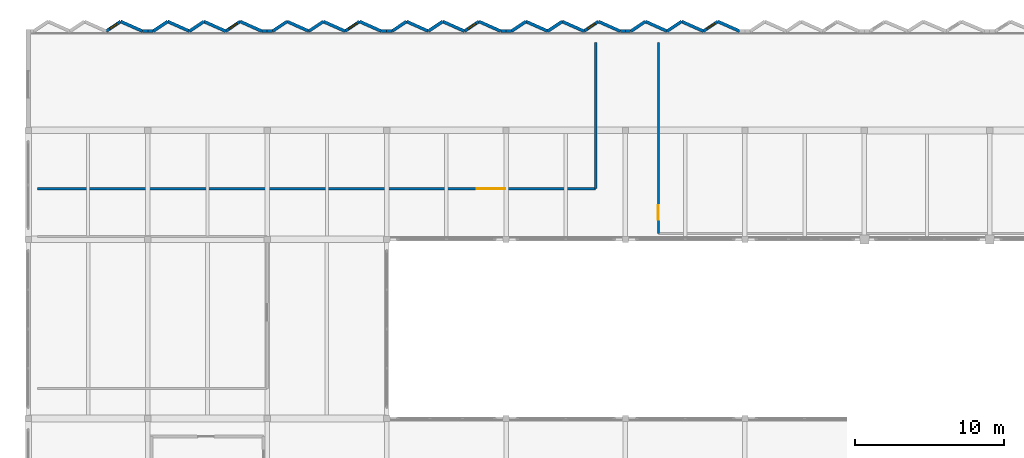
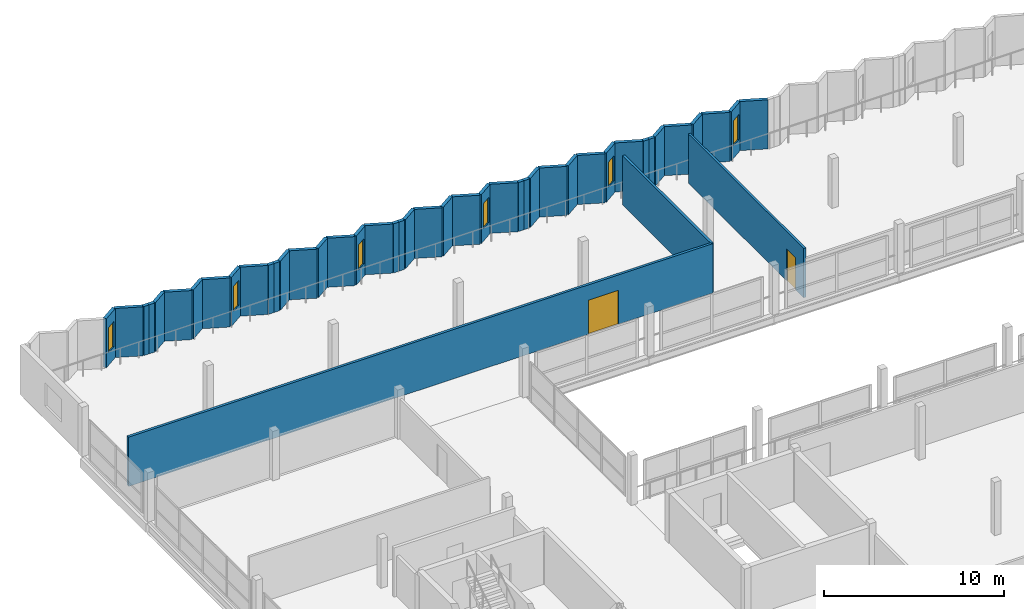
# One storey, part 38 of 51: 45 walls, 6 windows, 2 doors, 8 openings.
"""IFC4 building model written with IfcOpenShell, lengths in metres."""

from ifc_helpers import new_model, si_unit, direction, frame, frame_2d, origin, place, context, subcontext, project, spatial, rectangle, extrude, material, layer, layer_set, type_object, element, fill, save


model = new_model("IFC4")

# Units and contexts
model_context = context("Model", 3, precision=1e-05, world=origin(), true_north=direction((0.0, 1.0)))
body_context = subcontext(model_context, "Body", "Model", "MODEL_VIEW")
ifc_project = project(units=[si_unit("LENGTHUNIT", "METRE"), si_unit("AREAUNIT", "SQUARE_METRE"), si_unit("VOLUMEUNIT", "CUBIC_METRE"), si_unit("PLANEANGLEUNIT", "RADIAN"), si_unit("MASSUNIT", "GRAM", prefix="KILO")], contexts=[model_context])

# Site, building, storey
site_placement = place(None, origin())
site = spatial("IfcSite", under=ifc_project, at=site_placement, CompositionType="ELEMENT")
building_placement = place(site_placement, origin())
building = spatial("IfcBuilding", under=site, at=building_placement, Name="Vharandega Faculty of Natural Sciences", CompositionType="ELEMENT")
storey_placement = place(building_placement, frame((0.0, 0.0, 14.39990234375)))
storey = spatial("IfcBuildingStorey", under=building, at=storey_placement, Name="L03", CompositionType="ELEMENT", Elevation=14.39990234375)

# Walls
ifc_material_1 = material(Name="Precast concrete C40/50", Category="concrete")
ifc_layer_1 = layer(ifc_material_1, 0.2099609375, Name="Precast concrete C40/50")
ifc_layer_set_1 = layer_set([ifc_layer_1], Name="Precast concrete C40/50")
wall_type_1 = type_object("IfcWallType", Name="Commons Sawtooth Street Wall 210", PredefinedType="SOLIDWALL", material=ifc_layer_set_1)
for number, where, z_axis, x_axis, name in (
    (1, (7.64990234375, 110.949951171875, 0.0), (0.0, 0.0, 1.0), (1.0, 0.0, 0.0), "Exterior Wall EW-V2SHL-L03-2R"),
    (2, (8.0, 110.949951171875, 0.0), (0.0, 0.0, 1.0), (1.0, 0.0, 0.0), "Exterior Wall EW-V2SHL-L03-2L"),
    (3, (15.64990234375, 110.949951171875, 0.0), (0.0, 0.0, 1.0), (1.0, 0.0, 0.0), "Exterior Wall EW-V2SHL-L03-3R"),
    (4, (16.0, 110.949951171875, 0.0), (0.0, 0.0, 1.0), (1.0, 0.0, 0.0), "Exterior Wall EW-V2SHL-L03-3L"),
    (5, (23.64990234375, 110.949951171875, 0.0), (0.0, 0.0, 1.0), (1.0, 0.0, 0.0), "Exterior Wall EW-V2SHL-L03-4R"),
    (6, (24.0, 110.949951171875, 0.0), (0.0, 0.0, 1.0), (1.0, 0.0, 0.0), "Exterior Wall EW-V2SHL-L03-4L"),
    (7, (31.64990234375, 110.949951171875, 0.0), (0.0, 0.0, 1.0), (1.0, 0.0, 0.0), "Exterior Wall EW-V2SHL-L03-5R"),
    (8, (32.0, 110.949951171875, 0.0), (0.0, 0.0, 1.0), (1.0, 0.0, 0.0), "Exterior Wall EW-V2SHL-L03-5L"),
    (9, (39.64990234375, 110.949951171875, 0.0), (0.0, 0.0, 1.0), (1.0, 0.0, 0.0), "Exterior Wall EW-V2SHL-L03-6R"),
    (10, (40.0, 110.949951171875, 0.0), (0.0, 0.0, 1.0), (1.0, 0.0, 0.0), "Exterior Wall EW-V2SHL-L03-6L"),
):
    element("IfcWall", number, at=place(storey_placement, frame(where, z_axis=z_axis, x_axis=x_axis)), inside=storey, type_object=wall_type_1, Name=name, PredefinedType="SOLIDWALL", context=body_context, shape_type="SweptSolid", body=[
        extrude(rectangle(XDim=0.35009765625, YDim=0.2099609375, at=frame_2d((0.175048828125, 0.0))), origin(), (0.0, 0.0, 1.0), 3.320068359375),
    ])

# Wall, opening, window
wall_1_placement = place(storey_placement, frame((5.21337890625, 110.949951171875, 0.0), z_axis=(0.0, 0.0, 1.0), x_axis=(0.830858868059, 0.556483190553, 0.0)))
wall_1 = element("IfcWall", 11, at=wall_1_placement, inside=storey, type_object=wall_type_1, Name="Exterior Wall EW-V2SAW-L03-03G", PredefinedType="SOLIDWALL", context=body_context, shape_type="SweptSolid", body=[
    extrude(rectangle(XDim=1.168212890625, YDim=0.2099609375, at=frame_2d((0.583984375, 0.0))), origin(), (0.0, 0.0, 1.0), 3.320068359375),
])
opening_1_placement = place(wall_1_placement, frame((0.280029296875, 0.0, 0.85009765625)))
opening_1 = element("IfcOpeningElement", 12, at=opening_1_placement, cuts=wall_1, Name="Opening WN-07", PredefinedType="OPENING", context=body_context, shape_type="SweptSolid", body=[
    extrude(rectangle(XDim=0.64990234375, YDim=1.699951171875, at=frame_2d((0.324951171875, 0.85009765625))), frame((0.0, 0.114990234375, 0.0), z_axis=(0.0, -1.0, 0.0), x_axis=(1.0, 0.0, 0.0)), (0.0, 0.0, 1.0), 0.22998046875),
])
ifc_material_2 = material(Name="Double-glazed solar-control glass in thermally broken aluminium frame", Category="aluminium")
window_type = type_object("IfcWindowType", Name="WIN-COM-065x170", PartitioningType="SINGLE_PANEL", PredefinedType="WINDOW", material=ifc_material_2)
window_1_placement = place(opening_1_placement, origin())
window_1 = element("IfcWindow", 13, at=window_1_placement, inside=storey, type_object=window_type, Name="Window WIN-L03-0185", OverallHeight=1.699951171875, OverallWidth=0.64990234375, PartitioningType="SINGLE_PANEL", PredefinedType="WINDOW", context=body_context, shape_type="SweptSolid", body=[
    extrude(rectangle(XDim=0.64990234375, YDim=1.699951171875, at=frame_2d((0.324951171875, 0.85009765625))), frame((0.0, 0.030029296875, 0.0), z_axis=(0.0, -1.0, 0.0), x_axis=(1.0, 0.0, 0.0)), (0.0, 0.0, 1.0), 0.06005859375),
])
fill(opening_1, window_1)

# Walls
wall_2_placement = place(storey_placement, frame((6.18408203125, 111.60009765625, 0.0), z_axis=(0.0, 0.0, 1.0), x_axis=(0.913083928543, -0.407771675618, 0.0)))
element("IfcWall", 14, at=wall_2_placement, inside=storey, type_object=wall_type_1, Name="Exterior Wall EW-V2SAW-L03-03S", PredefinedType="SOLIDWALL", context=body_context, shape_type="SweptSolid", body=[
    extrude(rectangle(XDim=1.594482421875, YDim=0.2099609375, at=frame_2d((0.79736328125, 0.0))), origin(), (0.0, 0.0, 1.0), 3.320068359375),
])
wall_3_placement = place(storey_placement, frame((8.360107421875, 110.949951171875, 0.0), z_axis=(0.0, 0.0, 1.0), x_axis=(0.830858868059, 0.556483190553, 0.0)))
element("IfcWall", 15, at=wall_3_placement, inside=storey, type_object=wall_type_1, Name="Exterior Wall EW-V2SAW-L03-04G", PredefinedType="SOLIDWALL", context=body_context, shape_type="SweptSolid", body=[
    extrude(rectangle(XDim=1.168212890625, YDim=0.2099609375, at=frame_2d((0.583984375, 0.0))), origin(), (0.0, 0.0, 1.0), 3.320068359375),
])
wall_4_placement = place(storey_placement, frame((9.330810546875, 111.60009765625, 0.0), z_axis=(0.0, 0.0, 1.0), x_axis=(0.913083928543, -0.407771675618, 0.0)))
element("IfcWall", 16, at=wall_4_placement, inside=storey, type_object=wall_type_1, Name="Exterior Wall EW-V2SAW-L03-04S", PredefinedType="SOLIDWALL", context=body_context, shape_type="SweptSolid", body=[
    extrude(rectangle(XDim=1.594482421875, YDim=0.2099609375, at=frame_2d((0.79736328125, 0.0))), origin(), (0.0, 0.0, 1.0), 3.320068359375),
])
wall_5_placement = place(storey_placement, frame((10.78662109375, 110.949951171875, 0.0), z_axis=(0.0, 0.0, 1.0), x_axis=(0.830858868059, 0.556483190553, 0.0)))
element("IfcWall", 17, at=wall_5_placement, inside=storey, type_object=wall_type_1, Name="Exterior Wall EW-V2SAW-L03-05G", PredefinedType="SOLIDWALL", context=body_context, shape_type="SweptSolid", body=[
    extrude(rectangle(XDim=1.168212890625, YDim=0.2099609375, at=frame_2d((0.583984375, 0.0))), origin(), (0.0, 0.0, 1.0), 3.320068359375),
])
wall_6_placement = place(storey_placement, frame((11.75732421875, 111.60009765625, 0.0), z_axis=(0.0, 0.0, 1.0), x_axis=(0.913109384471, -0.407714669826, 0.0)))
element("IfcWall", 18, at=wall_6_placement, inside=storey, type_object=wall_type_1, Name="Exterior Wall EW-V2SAW-L03-05S", PredefinedType="SOLIDWALL", context=body_context, shape_type="SweptSolid", body=[
    extrude(rectangle(XDim=1.5947265625, YDim=0.2099609375, at=frame_2d((0.79736328125, 0.0))), origin(), (0.0, 0.0, 1.0), 3.320068359375),
])

# Wall, opening, window
wall_7_placement = place(storey_placement, frame((13.21337890625, 110.949951171875, 0.0), z_axis=(0.0, 0.0, 1.0), x_axis=(0.830858868059, 0.556483190553, 0.0)))
wall_7 = element("IfcWall", 19, at=wall_7_placement, inside=storey, type_object=wall_type_1, Name="Exterior Wall EW-V2SAW-L03-06G", PredefinedType="SOLIDWALL", context=body_context, shape_type="SweptSolid", body=[
    extrude(rectangle(XDim=1.168212890625, YDim=0.2099609375, at=frame_2d((0.583984375, 0.0))), origin(), (0.0, 0.0, 1.0), 3.320068359375),
])
opening_2_placement = place(wall_7_placement, frame((0.280029296875, 0.0, 0.85009765625)))
opening_2 = element("IfcOpeningElement", 20, at=opening_2_placement, cuts=wall_7, Name="Opening WN-07", PredefinedType="OPENING", context=body_context, shape_type="SweptSolid", body=[
    extrude(rectangle(XDim=0.64990234375, YDim=1.699951171875, at=frame_2d((0.324951171875, 0.85009765625))), frame((0.0, 0.114990234375, 0.0), z_axis=(0.0, -1.0, 0.0), x_axis=(1.0, 0.0, 0.0)), (0.0, 0.0, 1.0), 0.22998046875),
])
window_2_placement = place(opening_2_placement, origin())
window_2 = element("IfcWindow", 21, at=window_2_placement, inside=storey, type_object=window_type, Name="Window WIN-L03-0186", OverallHeight=1.699951171875, OverallWidth=0.64990234375, PartitioningType="SINGLE_PANEL", PredefinedType="WINDOW", context=body_context, shape_type="SweptSolid", body=[
    extrude(rectangle(XDim=0.64990234375, YDim=1.699951171875, at=frame_2d((0.324951171875, 0.85009765625))), frame((0.0, 0.030029296875, 0.0), z_axis=(0.0, -1.0, 0.0), x_axis=(1.0, 0.0, 0.0)), (0.0, 0.0, 1.0), 0.06005859375),
])
fill(opening_2, window_2)

# Walls
wall_8_placement = place(storey_placement, frame((14.18408203125, 111.60009765625, 0.0), z_axis=(0.0, 0.0, 1.0), x_axis=(0.913083928543, -0.407771675618, 0.0)))
element("IfcWall", 22, at=wall_8_placement, inside=storey, type_object=wall_type_1, Name="Exterior Wall EW-V2SAW-L03-06S", PredefinedType="SOLIDWALL", context=body_context, shape_type="SweptSolid", body=[
    extrude(rectangle(XDim=1.594482421875, YDim=0.2099609375, at=frame_2d((0.79736328125, 0.0))), origin(), (0.0, 0.0, 1.0), 3.320068359375),
])
wall_9_placement = place(storey_placement, frame((16.360107421875, 110.949951171875, 0.0), z_axis=(0.0, 0.0, 1.0), x_axis=(0.830858868059, 0.556483190553, 0.0)))
element("IfcWall", 23, at=wall_9_placement, inside=storey, type_object=wall_type_1, Name="Exterior Wall EW-V2SAW-L03-07G", PredefinedType="SOLIDWALL", context=body_context, shape_type="SweptSolid", body=[
    extrude(rectangle(XDim=1.168212890625, YDim=0.2099609375, at=frame_2d((0.583984375, 0.0))), origin(), (0.0, 0.0, 1.0), 3.320068359375),
])
wall_10_placement = place(storey_placement, frame((17.330810546875, 111.60009765625, 0.0), z_axis=(0.0, 0.0, 1.0), x_axis=(0.913083928543, -0.407771675618, 0.0)))
element("IfcWall", 24, at=wall_10_placement, inside=storey, type_object=wall_type_1, Name="Exterior Wall EW-V2SAW-L03-07S", PredefinedType="SOLIDWALL", context=body_context, shape_type="SweptSolid", body=[
    extrude(rectangle(XDim=1.594482421875, YDim=0.2099609375, at=frame_2d((0.79736328125, 0.0))), origin(), (0.0, 0.0, 1.0), 3.320068359375),
])
wall_11_placement = place(storey_placement, frame((18.78662109375, 110.949951171875, 0.0), z_axis=(0.0, 0.0, 1.0), x_axis=(0.830858868059, 0.556483190553, 0.0)))
element("IfcWall", 25, at=wall_11_placement, inside=storey, type_object=wall_type_1, Name="Exterior Wall EW-V2SAW-L03-08G", PredefinedType="SOLIDWALL", context=body_context, shape_type="SweptSolid", body=[
    extrude(rectangle(XDim=1.168212890625, YDim=0.2099609375, at=frame_2d((0.583984375, 0.0))), origin(), (0.0, 0.0, 1.0), 3.320068359375),
])
wall_12_placement = place(storey_placement, frame((19.75732421875, 111.60009765625, 0.0), z_axis=(0.0, 0.0, 1.0), x_axis=(0.913109384471, -0.407714669826, 0.0)))
element("IfcWall", 26, at=wall_12_placement, inside=storey, type_object=wall_type_1, Name="Exterior Wall EW-V2SAW-L03-08S", PredefinedType="SOLIDWALL", context=body_context, shape_type="SweptSolid", body=[
    extrude(rectangle(XDim=1.5947265625, YDim=0.2099609375, at=frame_2d((0.79736328125, 0.0))), origin(), (0.0, 0.0, 1.0), 3.320068359375),
])

# Wall, opening, window
wall_13_placement = place(storey_placement, frame((21.21337890625, 110.949951171875, 0.0), z_axis=(0.0, 0.0, 1.0), x_axis=(0.830858868059, 0.556483190553, 0.0)))
wall_13 = element("IfcWall", 27, at=wall_13_placement, inside=storey, type_object=wall_type_1, Name="Exterior Wall EW-V2SAW-L03-09G", PredefinedType="SOLIDWALL", context=body_context, shape_type="SweptSolid", body=[
    extrude(rectangle(XDim=1.168212890625, YDim=0.2099609375, at=frame_2d((0.583984375, 0.0))), origin(), (0.0, 0.0, 1.0), 3.320068359375),
])
opening_3_placement = place(wall_13_placement, frame((0.280029296875, 0.0, 0.85009765625)))
opening_3 = element("IfcOpeningElement", 28, at=opening_3_placement, cuts=wall_13, Name="Opening WN-07", PredefinedType="OPENING", context=body_context, shape_type="SweptSolid", body=[
    extrude(rectangle(XDim=0.64990234375, YDim=1.699951171875, at=frame_2d((0.324951171875, 0.85009765625))), frame((0.0, 0.114990234375, 0.0), z_axis=(0.0, -1.0, 0.0), x_axis=(1.0, 0.0, 0.0)), (0.0, 0.0, 1.0), 0.22998046875),
])
window_3_placement = place(opening_3_placement, origin())
window_3 = element("IfcWindow", 29, at=window_3_placement, inside=storey, type_object=window_type, Name="Window WIN-L03-0187", OverallHeight=1.699951171875, OverallWidth=0.64990234375, PartitioningType="SINGLE_PANEL", PredefinedType="WINDOW", context=body_context, shape_type="SweptSolid", body=[
    extrude(rectangle(XDim=0.64990234375, YDim=1.699951171875, at=frame_2d((0.324951171875, 0.85009765625))), frame((0.0, 0.030029296875, 0.0), z_axis=(0.0, -1.0, 0.0), x_axis=(1.0, 0.0, 0.0)), (0.0, 0.0, 1.0), 0.06005859375),
])
fill(opening_3, window_3)

# Walls
wall_14_placement = place(storey_placement, frame((22.18408203125, 111.60009765625, 0.0), z_axis=(0.0, 0.0, 1.0), x_axis=(0.913083928543, -0.407771675618, 0.0)))
element("IfcWall", 30, at=wall_14_placement, inside=storey, type_object=wall_type_1, Name="Exterior Wall EW-V2SAW-L03-09S", PredefinedType="SOLIDWALL", context=body_context, shape_type="SweptSolid", body=[
    extrude(rectangle(XDim=1.594482421875, YDim=0.2099609375, at=frame_2d((0.79736328125, 0.0))), origin(), (0.0, 0.0, 1.0), 3.320068359375),
])
wall_15_placement = place(storey_placement, frame((24.360107421875, 110.949951171875, 0.0), z_axis=(0.0, 0.0, 1.0), x_axis=(0.830858868059, 0.556483190553, 0.0)))
element("IfcWall", 31, at=wall_15_placement, inside=storey, type_object=wall_type_1, Name="Exterior Wall EW-V2SAW-L03-10G", PredefinedType="SOLIDWALL", context=body_context, shape_type="SweptSolid", body=[
    extrude(rectangle(XDim=1.168212890625, YDim=0.2099609375, at=frame_2d((0.583984375, 0.0))), origin(), (0.0, 0.0, 1.0), 3.320068359375),
])
wall_16_placement = place(storey_placement, frame((25.330810546875, 111.60009765625, 0.0), z_axis=(0.0, 0.0, 1.0), x_axis=(0.913083928543, -0.407771675618, 0.0)))
element("IfcWall", 32, at=wall_16_placement, inside=storey, type_object=wall_type_1, Name="Exterior Wall EW-V2SAW-L03-10S", PredefinedType="SOLIDWALL", context=body_context, shape_type="SweptSolid", body=[
    extrude(rectangle(XDim=1.594482421875, YDim=0.2099609375, at=frame_2d((0.79736328125, 0.0))), origin(), (0.0, 0.0, 1.0), 3.320068359375),
])
wall_17_placement = place(storey_placement, frame((26.78662109375, 110.949951171875, 0.0), z_axis=(0.0, 0.0, 1.0), x_axis=(0.830858868059, 0.556483190553, 0.0)))
element("IfcWall", 33, at=wall_17_placement, inside=storey, type_object=wall_type_1, Name="Exterior Wall EW-V2SAW-L03-11G", PredefinedType="SOLIDWALL", context=body_context, shape_type="SweptSolid", body=[
    extrude(rectangle(XDim=1.168212890625, YDim=0.2099609375, at=frame_2d((0.583984375, 0.0))), origin(), (0.0, 0.0, 1.0), 3.320068359375),
])
wall_18_placement = place(storey_placement, frame((27.75732421875, 111.60009765625, 0.0), z_axis=(0.0, 0.0, 1.0), x_axis=(0.913109384471, -0.407714669826, 0.0)))
element("IfcWall", 34, at=wall_18_placement, inside=storey, type_object=wall_type_1, Name="Exterior Wall EW-V2SAW-L03-11S", PredefinedType="SOLIDWALL", context=body_context, shape_type="SweptSolid", body=[
    extrude(rectangle(XDim=1.5947265625, YDim=0.2099609375, at=frame_2d((0.79736328125, 0.0))), origin(), (0.0, 0.0, 1.0), 3.320068359375),
])

# Wall, opening, window
wall_19_placement = place(storey_placement, frame((29.21337890625, 110.949951171875, 0.0), z_axis=(0.0, 0.0, 1.0), x_axis=(0.830858868059, 0.556483190553, 0.0)))
wall_19 = element("IfcWall", 35, at=wall_19_placement, inside=storey, type_object=wall_type_1, Name="Exterior Wall EW-V2SAW-L03-12G", PredefinedType="SOLIDWALL", context=body_context, shape_type="SweptSolid", body=[
    extrude(rectangle(XDim=1.168212890625, YDim=0.2099609375, at=frame_2d((0.583984375, 0.0))), origin(), (0.0, 0.0, 1.0), 3.320068359375),
])
opening_4_placement = place(wall_19_placement, frame((0.280029296875, 0.0, 0.85009765625)))
opening_4 = element("IfcOpeningElement", 36, at=opening_4_placement, cuts=wall_19, Name="Opening WN-07", PredefinedType="OPENING", context=body_context, shape_type="SweptSolid", body=[
    extrude(rectangle(XDim=0.64990234375, YDim=1.699951171875, at=frame_2d((0.324951171875, 0.85009765625))), frame((0.0, 0.114990234375, 0.0), z_axis=(0.0, -1.0, 0.0), x_axis=(1.0, 0.0, 0.0)), (0.0, 0.0, 1.0), 0.22998046875),
])
window_4_placement = place(opening_4_placement, origin())
window_4 = element("IfcWindow", 37, at=window_4_placement, inside=storey, type_object=window_type, Name="Window WIN-L03-0188", OverallHeight=1.699951171875, OverallWidth=0.64990234375, PartitioningType="SINGLE_PANEL", PredefinedType="WINDOW", context=body_context, shape_type="SweptSolid", body=[
    extrude(rectangle(XDim=0.64990234375, YDim=1.699951171875, at=frame_2d((0.324951171875, 0.85009765625))), frame((0.0, 0.030029296875, 0.0), z_axis=(0.0, -1.0, 0.0), x_axis=(1.0, 0.0, 0.0)), (0.0, 0.0, 1.0), 0.06005859375),
])
fill(opening_4, window_4)

# Walls
wall_20_placement = place(storey_placement, frame((30.18408203125, 111.60009765625, 0.0), z_axis=(0.0, 0.0, 1.0), x_axis=(0.913083928543, -0.407771675618, 0.0)))
element("IfcWall", 38, at=wall_20_placement, inside=storey, type_object=wall_type_1, Name="Exterior Wall EW-V2SAW-L03-12S", PredefinedType="SOLIDWALL", context=body_context, shape_type="SweptSolid", body=[
    extrude(rectangle(XDim=1.594482421875, YDim=0.2099609375, at=frame_2d((0.79736328125, 0.0))), origin(), (0.0, 0.0, 1.0), 3.320068359375),
])
wall_21_placement = place(storey_placement, frame((32.360107421875, 110.949951171875, 0.0), z_axis=(0.0, 0.0, 1.0), x_axis=(0.830858868059, 0.556483190553, 0.0)))
element("IfcWall", 39, at=wall_21_placement, inside=storey, type_object=wall_type_1, Name="Exterior Wall EW-V2SAW-L03-13G", PredefinedType="SOLIDWALL", context=body_context, shape_type="SweptSolid", body=[
    extrude(rectangle(XDim=1.168212890625, YDim=0.2099609375, at=frame_2d((0.583984375, 0.0))), origin(), (0.0, 0.0, 1.0), 3.320068359375),
])
wall_22_placement = place(storey_placement, frame((33.330810546875, 111.60009765625, 0.0), z_axis=(0.0, 0.0, 1.0), x_axis=(0.913083928543, -0.407771675618, 0.0)))
element("IfcWall", 40, at=wall_22_placement, inside=storey, type_object=wall_type_1, Name="Exterior Wall EW-V2SAW-L03-13S", PredefinedType="SOLIDWALL", context=body_context, shape_type="SweptSolid", body=[
    extrude(rectangle(XDim=1.594482421875, YDim=0.2099609375, at=frame_2d((0.79736328125, 0.0))), origin(), (0.0, 0.0, 1.0), 3.320068359375),
])
wall_23_placement = place(storey_placement, frame((34.78662109375, 110.949951171875, 0.0), z_axis=(0.0, 0.0, 1.0), x_axis=(0.830858868059, 0.556483190553, 0.0)))
element("IfcWall", 41, at=wall_23_placement, inside=storey, type_object=wall_type_1, Name="Exterior Wall EW-V2SAW-L03-14G", PredefinedType="SOLIDWALL", context=body_context, shape_type="SweptSolid", body=[
    extrude(rectangle(XDim=1.168212890625, YDim=0.2099609375, at=frame_2d((0.583984375, 0.0))), origin(), (0.0, 0.0, 1.0), 3.320068359375),
])
wall_24_placement = place(storey_placement, frame((35.75732421875, 111.60009765625, 0.0), z_axis=(0.0, 0.0, 1.0), x_axis=(0.913109384471, -0.407714669826, 0.0)))
element("IfcWall", 42, at=wall_24_placement, inside=storey, type_object=wall_type_1, Name="Exterior Wall EW-V2SAW-L03-14S", PredefinedType="SOLIDWALL", context=body_context, shape_type="SweptSolid", body=[
    extrude(rectangle(XDim=1.5947265625, YDim=0.2099609375, at=frame_2d((0.79736328125, 0.0))), origin(), (0.0, 0.0, 1.0), 3.320068359375),
])

# Wall, opening, window
wall_25_placement = place(storey_placement, frame((37.21337890625, 110.949951171875, 0.0), z_axis=(0.0, 0.0, 1.0), x_axis=(0.830858868059, 0.556483190553, 0.0)))
wall_25 = element("IfcWall", 43, at=wall_25_placement, inside=storey, type_object=wall_type_1, Name="Exterior Wall EW-V2SAW-L03-15G", PredefinedType="SOLIDWALL", context=body_context, shape_type="SweptSolid", body=[
    extrude(rectangle(XDim=1.168212890625, YDim=0.2099609375, at=frame_2d((0.583984375, 0.0))), origin(), (0.0, 0.0, 1.0), 3.320068359375),
])
opening_5_placement = place(wall_25_placement, frame((0.280029296875, 0.0, 0.85009765625)))
opening_5 = element("IfcOpeningElement", 44, at=opening_5_placement, cuts=wall_25, Name="Opening WN-07", PredefinedType="OPENING", context=body_context, shape_type="SweptSolid", body=[
    extrude(rectangle(XDim=0.64990234375, YDim=1.699951171875, at=frame_2d((0.324951171875, 0.85009765625))), frame((0.0, 0.114990234375, 0.0), z_axis=(0.0, -1.0, 0.0), x_axis=(1.0, 0.0, 0.0)), (0.0, 0.0, 1.0), 0.22998046875),
])
window_5_placement = place(opening_5_placement, origin())
window_5 = element("IfcWindow", 45, at=window_5_placement, inside=storey, type_object=window_type, Name="Window WIN-L03-0189", OverallHeight=1.699951171875, OverallWidth=0.64990234375, PartitioningType="SINGLE_PANEL", PredefinedType="WINDOW", context=body_context, shape_type="SweptSolid", body=[
    extrude(rectangle(XDim=0.64990234375, YDim=1.699951171875, at=frame_2d((0.324951171875, 0.85009765625))), frame((0.0, 0.030029296875, 0.0), z_axis=(0.0, -1.0, 0.0), x_axis=(1.0, 0.0, 0.0)), (0.0, 0.0, 1.0), 0.06005859375),
])
fill(opening_5, window_5)

# Walls
wall_26_placement = place(storey_placement, frame((38.18408203125, 111.60009765625, 0.0), z_axis=(0.0, 0.0, 1.0), x_axis=(0.913083928543, -0.407771675618, 0.0)))
element("IfcWall", 46, at=wall_26_placement, inside=storey, type_object=wall_type_1, Name="Exterior Wall EW-V2SAW-L03-15S", PredefinedType="SOLIDWALL", context=body_context, shape_type="SweptSolid", body=[
    extrude(rectangle(XDim=1.594482421875, YDim=0.2099609375, at=frame_2d((0.79736328125, 0.0))), origin(), (0.0, 0.0, 1.0), 3.320068359375),
])
wall_27_placement = place(storey_placement, frame((40.360107421875, 110.949951171875, 0.0), z_axis=(0.0, 0.0, 1.0), x_axis=(0.830858868059, 0.556483190553, 0.0)))
element("IfcWall", 47, at=wall_27_placement, inside=storey, type_object=wall_type_1, Name="Exterior Wall EW-V2SAW-L03-16G", PredefinedType="SOLIDWALL", context=body_context, shape_type="SweptSolid", body=[
    extrude(rectangle(XDim=1.168212890625, YDim=0.2099609375, at=frame_2d((0.583984375, 0.0))), origin(), (0.0, 0.0, 1.0), 3.320068359375),
])
wall_28_placement = place(storey_placement, frame((41.330810546875, 111.60009765625, 0.0), z_axis=(0.0, 0.0, 1.0), x_axis=(0.913083928543, -0.407771675618, 0.0)))
element("IfcWall", 48, at=wall_28_placement, inside=storey, type_object=wall_type_1, Name="Exterior Wall EW-V2SAW-L03-16S", PredefinedType="SOLIDWALL", context=body_context, shape_type="SweptSolid", body=[
    extrude(rectangle(XDim=1.594482421875, YDim=0.2099609375, at=frame_2d((0.79736328125, 0.0))), origin(), (0.0, 0.0, 1.0), 3.320068359375),
])
wall_29_placement = place(storey_placement, frame((42.78662109375, 110.949951171875, 0.0), z_axis=(0.0, 0.0, 1.0), x_axis=(0.830858868059, 0.556483190553, 0.0)))
element("IfcWall", 49, at=wall_29_placement, inside=storey, type_object=wall_type_1, Name="Exterior Wall EW-V2SAW-L03-17G", PredefinedType="SOLIDWALL", context=body_context, shape_type="SweptSolid", body=[
    extrude(rectangle(XDim=1.168212890625, YDim=0.2099609375, at=frame_2d((0.583984375, 0.0))), origin(), (0.0, 0.0, 1.0), 3.320068359375),
])
wall_30_placement = place(storey_placement, frame((43.75732421875, 111.60009765625, 0.0), z_axis=(0.0, 0.0, 1.0), x_axis=(0.913109384471, -0.407714669826, 0.0)))
element("IfcWall", 50, at=wall_30_placement, inside=storey, type_object=wall_type_1, Name="Exterior Wall EW-V2SAW-L03-17S", PredefinedType="SOLIDWALL", context=body_context, shape_type="SweptSolid", body=[
    extrude(rectangle(XDim=1.5947265625, YDim=0.2099609375, at=frame_2d((0.79736328125, 0.0))), origin(), (0.0, 0.0, 1.0), 3.320068359375),
])

# Wall, opening, window
wall_31_placement = place(storey_placement, frame((45.21337890625, 110.949951171875, 0.0), z_axis=(0.0, 0.0, 1.0), x_axis=(0.830858868059, 0.556483190553, 0.0)))
wall_31 = element("IfcWall", 51, at=wall_31_placement, inside=storey, type_object=wall_type_1, Name="Exterior Wall EW-V2SAW-L03-18G", PredefinedType="SOLIDWALL", context=body_context, shape_type="SweptSolid", body=[
    extrude(rectangle(XDim=1.168212890625, YDim=0.2099609375, at=frame_2d((0.583984375, 0.0))), origin(), (0.0, 0.0, 1.0), 3.320068359375),
])
opening_6_placement = place(wall_31_placement, frame((0.280029296875, 0.0, 0.85009765625)))
opening_6 = element("IfcOpeningElement", 52, at=opening_6_placement, cuts=wall_31, Name="Opening WN-07", PredefinedType="OPENING", context=body_context, shape_type="SweptSolid", body=[
    extrude(rectangle(XDim=0.64990234375, YDim=1.699951171875, at=frame_2d((0.324951171875, 0.85009765625))), frame((0.0, 0.114990234375, 0.0), z_axis=(0.0, -1.0, 0.0), x_axis=(1.0, 0.0, 0.0)), (0.0, 0.0, 1.0), 0.22998046875),
])
window_6_placement = place(opening_6_placement, origin())
window_6 = element("IfcWindow", 53, at=window_6_placement, inside=storey, type_object=window_type, Name="Window WIN-L03-0190", OverallHeight=1.699951171875, OverallWidth=0.64990234375, PartitioningType="SINGLE_PANEL", PredefinedType="WINDOW", context=body_context, shape_type="SweptSolid", body=[
    extrude(rectangle(XDim=0.64990234375, YDim=1.699951171875, at=frame_2d((0.324951171875, 0.85009765625))), frame((0.0, 0.030029296875, 0.0), z_axis=(0.0, -1.0, 0.0), x_axis=(1.0, 0.0, 0.0)), (0.0, 0.0, 1.0), 0.06005859375),
])
fill(opening_6, window_6)

# Wall
wall_32_placement = place(storey_placement, frame((46.18408203125, 111.60009765625, 0.0), z_axis=(0.0, 0.0, 1.0), x_axis=(0.913083928543, -0.407771675618, 0.0)))
element("IfcWall", 54, at=wall_32_placement, inside=storey, type_object=wall_type_1, Name="Exterior Wall EW-V2SAW-L03-18S", PredefinedType="SOLIDWALL", context=body_context, shape_type="SweptSolid", body=[
    extrude(rectangle(XDim=1.594482421875, YDim=0.2099609375, at=frame_2d((0.79736328125, 0.0))), origin(), (0.0, 0.0, 1.0), 3.320068359375),
])

# Wall, opening, door
ifc_material_3 = material(Name="Gypsum fire-board on steel stud", Category="steel")
ifc_layer_2 = layer(ifc_material_3, 0.159912109375, Name="Gypsum fire-board on steel stud")
ifc_layer_set_2 = layer_set([ifc_layer_2], Name="Gypsum fire-board on steel stud")
wall_type_2 = type_object("IfcWallType", Name="Laboratory Fire Corridor Wall 160", PredefinedType="PARTITIONING", material=ifc_layer_set_2)
wall_33_placement = place(storey_placement, frame((0.60009765625, 100.39990234375, 0.0), z_axis=(0.0, 0.0, 1.0), x_axis=(1.0, 0.0, 0.0)))
wall_33 = element("IfcWall", 55, at=wall_33_placement, inside=storey, type_object=wall_type_2, Name="Interior Wall PW-L03-R10S", PredefinedType="PARTITIONING", context=body_context, shape_type="SweptSolid", body=[
    extrude(rectangle(XDim=37.39990234375, YDim=0.159912109375, at=frame_2d((18.699951171875, 0.0))), origin(), (0.0, 0.0, 1.0), 3.340087890625),
])
opening_7_placement = place(wall_33_placement, frame((29.449951171875, 0.0, 0.0)))
opening_7 = element("IfcOpeningElement", 56, at=opening_7_placement, cuts=wall_33, Name="Opening D0290", PredefinedType="OPENING", context=body_context, shape_type="SweptSolid", body=[
    extrude(rectangle(XDim=1.89990234375, YDim=2.300048828125, at=frame_2d((0.949951171875, 1.14990234375))), frame((0.0, 0.08984375, 0.0), z_axis=(0.0, -1.0, 0.0), x_axis=(1.0, 0.0, 0.0)), (0.0, 0.0, 1.0), 0.179931640625),
])
ifc_material_4 = material(Name="Solid-core hardwood timber fire door", Category="wood")
door_type_1 = type_object("IfcDoorType", Name="ID08-COMMONS-DBL-1900x2300", OperationType="DOUBLE_DOOR_SINGLE_SWING", PredefinedType="DOOR", material=ifc_material_4)
door_1_placement = place(opening_7_placement, origin())
door_1 = element("IfcDoor", 57, at=door_1_placement, inside=storey, type_object=door_type_1, Name="Upper Learning Commons Reading Hall Door D0290", OperationType="DOUBLE_DOOR_SINGLE_SWING", OverallHeight=2.300048828125, OverallWidth=1.89990234375, PredefinedType="DOOR", context=body_context, shape_type="SweptSolid", body=[
    extrude(rectangle(XDim=1.89990234375, YDim=2.300048828125, at=frame_2d((0.949951171875, 1.14990234375))), frame((0.0, 0.02490234375, 0.0), z_axis=(0.0, -1.0, 0.0), x_axis=(1.0, 0.0, 0.0)), (0.0, 0.0, 1.0), 0.050048828125),
])
fill(opening_7, door_1)

# Wall
wall_34_placement = place(storey_placement, frame((38.0, 100.39990234375, 0.0), z_axis=(0.0, 0.0, 1.0), x_axis=(0.0, 1.0, 0.0)))
element("IfcWall", 58, at=wall_34_placement, inside=storey, type_object=wall_type_2, Name="Interior Wall PW-L03-R10E", PredefinedType="PARTITIONING", context=body_context, shape_type="SweptSolid", body=[
    extrude(rectangle(XDim=9.800048828125, YDim=0.159912109375, at=frame_2d((4.89990234375, 0.0))), origin(), (0.0, 0.0, 1.0), 3.340087890625),
])

# Wall, opening, door
ifc_material_5 = material(Name="Gypsum acoustic partition", Category="gypsum")
ifc_layer_3 = layer(ifc_material_5, 0.139892578125, Name="Gypsum acoustic partition")
ifc_layer_set_3 = layer_set([ifc_layer_3], Name="Gypsum acoustic partition")
wall_type_3 = type_object("IfcWallType", Name="Room Partition Wall 140", PredefinedType="PARTITIONING", material=ifc_layer_set_3)
wall_35_placement = place(storey_placement, frame((42.199951171875, 97.39990234375, 0.0), z_axis=(0.0, 0.0, 1.0), x_axis=(0.0, 1.0, 0.0)))
wall_35 = element("IfcWall", 59, at=wall_35_placement, inside=storey, type_object=wall_type_3, Name="Interior Wall PW-L03-R11W", PredefinedType="PARTITIONING", context=body_context, shape_type="SweptSolid", body=[
    extrude(rectangle(XDim=12.800048828125, YDim=0.139892578125, at=frame_2d((6.39990234375, 0.0))), origin(), (0.0, 0.0, 1.0), 3.340087890625),
])
opening_8_placement = place(wall_35_placement, frame((0.89990234375, 0.0, 0.0)))
opening_8 = element("IfcOpeningElement", 60, at=opening_8_placement, cuts=wall_35, Name="Opening D0291", PredefinedType="OPENING", context=body_context, shape_type="SweptSolid", body=[
    extrude(rectangle(XDim=1.0, YDim=2.14990234375, at=frame_2d((0.5, 1.074951171875))), frame((0.0, 0.080078125, 0.0), z_axis=(0.0, -1.0, 0.0), x_axis=(1.0, 0.0, 0.0)), (0.0, 0.0, 1.0), 0.159912109375),
])
ifc_material_6 = material(Name="Solid-core hardwood timber fire door", Category="wood")
door_type_2 = type_object("IfcDoorType", Name="ID02-SEMINAR-1000x2150", OperationType="NOTDEFINED", PredefinedType="DOOR", material=ifc_material_6)
door_2_placement = place(opening_8_placement, origin())
door_2 = element("IfcDoor", 61, at=door_2_placement, inside=storey, type_object=door_type_2, Name="Rare Natural-History Archive Reading Room Door D0291", OperationType="SINGLE_SWING_RIGHT", OverallHeight=2.14990234375, OverallWidth=1.0, PredefinedType="DOOR", context=body_context, shape_type="SweptSolid", body=[
    extrude(rectangle(XDim=1.0, YDim=2.14990234375, at=frame_2d((0.5, 1.074951171875))), frame((0.0, 0.02490234375, 0.0), z_axis=(0.0, -1.0, 0.0), x_axis=(1.0, 0.0, 0.0)), (0.0, 0.0, 1.0), 0.050048828125),
])
fill(opening_8, door_2)

save(model, "model.ifc")
